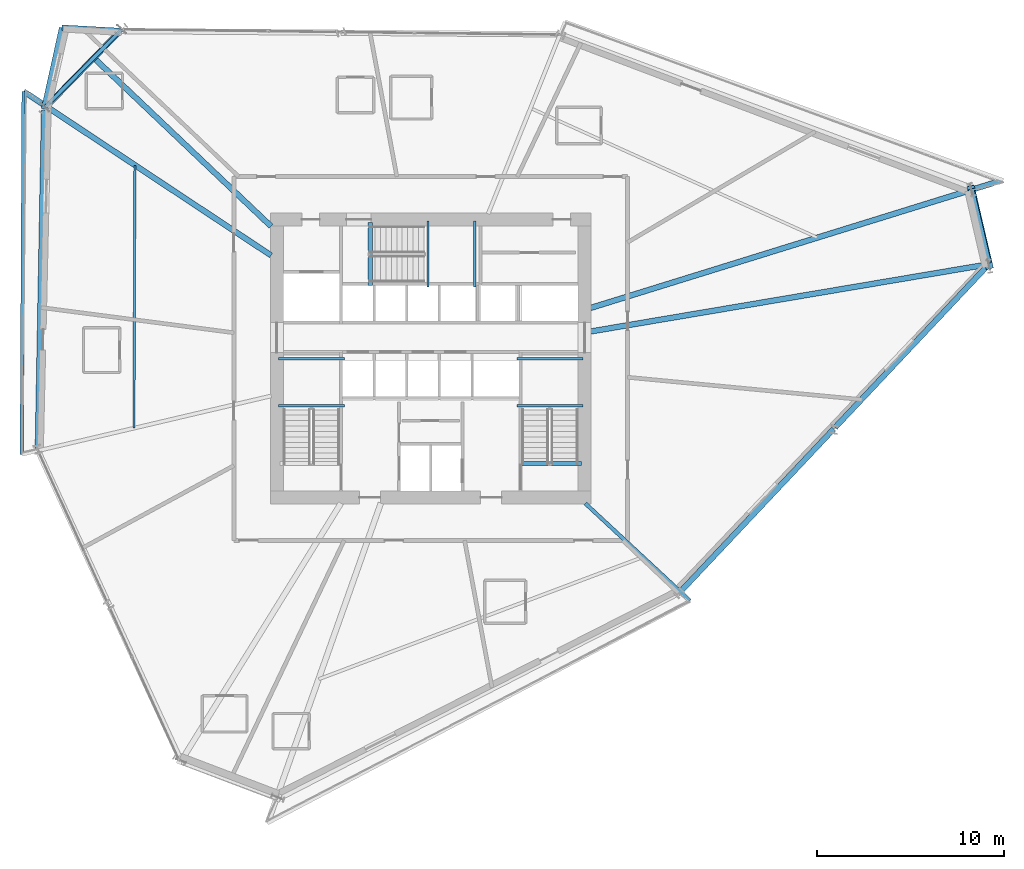
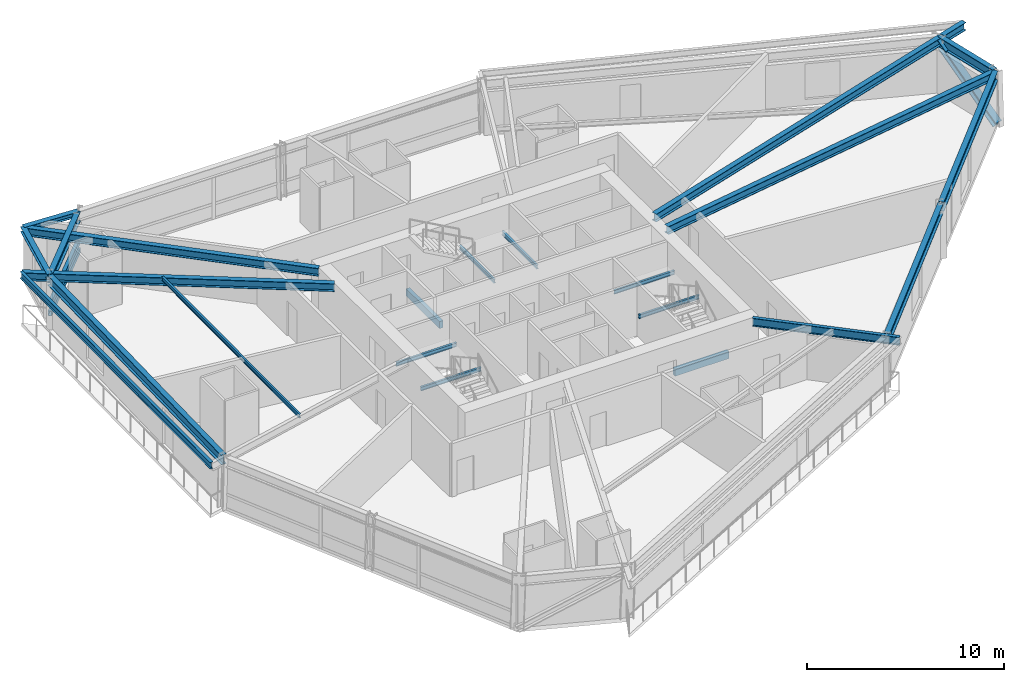
# One storey, part 5 of 21: 22 beams, 3 members.
"""IFC4 building model written with IfcOpenShell, lengths in metres."""

from ifc_helpers import new_model, si_unit, direction, frame, origin, origin_2d, place, context, subcontext, project, spatial, rectangle, hollow_rectangle, i_section, extrude, source, transform, mapped, material, material_profile, profile_set, type_object, element, save


model = new_model("IFC4")

# Units and contexts
model_context = context("Model", 3, precision=1e-05, world=origin(), true_north=direction((0.0, 1.0)))
body_context = subcontext(model_context, "Body", "Model", "MODEL_VIEW")
ifc_project = project(units=[si_unit("LENGTHUNIT", "METRE"), si_unit("AREAUNIT", "SQUARE_METRE"), si_unit("VOLUMEUNIT", "CUBIC_METRE"), si_unit("PLANEANGLEUNIT", "RADIAN"), si_unit("MASSUNIT", "GRAM", prefix="KILO")], contexts=[model_context])

# Site, building, storey
site_placement = place(None, origin())
site = spatial("IfcSite", under=ifc_project, at=site_placement, CompositionType="ELEMENT")
building_placement = place(site_placement, origin())
building = spatial("IfcBuilding", under=site, at=building_placement, Name="Olszyna Solenne Hotel", CompositionType="ELEMENT")
storey_placement = place(building_placement, frame((0.0, 0.0, 91.5)))
storey = spatial("IfcBuildingStorey", under=building, at=storey_placement, Name="L23", CompositionType="ELEMENT", Elevation=91.5)

# Beams
ifc_material_1 = material(Name="Steel S355J2", Category="steel")
ifc_material_profile_1 = material_profile(ifc_material_1, i_section(OverallWidth=0.300048828125, OverallDepth=0.60009765625, WebThickness=0.015380859375, FlangeThickness=0.030029296875, at=origin_2d()), Name="HEB 600", Category="load-bearing")
ifc_profile_set_1 = profile_set([ifc_material_profile_1], Name="Steel S355J2")
beam_type_1 = type_object("IfcBeamType", Name="BM-S2", PredefinedType="BEAM", material=ifc_profile_set_1)
shared_shape_1 = source(origin(), body_context, "Body", "SweptSolid", [
    extrude(i_section(OverallWidth=0.300048828125, OverallDepth=0.60009765625, WebThickness=0.015380859375, FlangeThickness=0.030029296875, at=origin_2d()), origin(), (0.0, 0.0, 1.0), 4.090087890625),
])
beam_1_placement = place(storey_placement, frame((67.90576171875, 31.71142578125, 3.0), z_axis=(-0.22921233532, 0.973376445851, 0.0), x_axis=(-0.973376445851, -0.22921233532, 0.0)))
element("IfcBeam", 1, at=beam_1_placement, inside=storey, type_object=beam_type_1, Name="Perimeter spandrel beam BM-S2 B-L23-0691", PredefinedType="BEAM", context=body_context, shape_type="MappedRepresentation", body=[
    mapped(shared_shape_1, transform((0.0, 0.0, 0.0), x_axis=(1.0, 0.0, 0.0), y_axis=(0.0, 1.0, 0.0), z_axis=(0.0, 0.0, 1.0), scale=1.0)),
])
shared_shape_2 = source(origin(), body_context, "Body", "SweptSolid", [
    extrude(i_section(OverallWidth=0.300048828125, OverallDepth=0.60009765625, WebThickness=0.015380859375, FlangeThickness=0.030029296875, at=origin_2d()), origin(), (0.0, 0.0, 1.0), 5.715087890625),
])
beam_2_placement = place(storey_placement, frame((21.311767578125, 44.11572265625, 3.0), z_axis=(-0.698360150737, -0.715746533252, 0.0), x_axis=(0.715746533252, -0.698360150737, 0.0)))
element("IfcBeam", 2, at=beam_2_placement, inside=storey, type_object=beam_type_1, Name="Perimeter spandrel beam BM-S2 B-L23-0695", PredefinedType="BEAM", context=body_context, shape_type="MappedRepresentation", body=[
    mapped(shared_shape_2, transform((0.0, 0.0, 0.0), x_axis=(1.0, 0.0, 0.0), y_axis=(0.0, 1.0, 0.0), z_axis=(0.0, 0.0, 1.0), scale=1.0)),
])
shared_shape_3 = source(origin(), body_context, "Body", "SweptSolid", [
    extrude(i_section(OverallWidth=0.300048828125, OverallDepth=0.60009765625, WebThickness=0.015380859375, FlangeThickness=0.030029296875, at=origin_2d()), origin(), (0.0, 0.0, 1.0), 11.955322265625),
])
for number, where, z_axis, x_axis, name in (
    (3, (51.400390625, 14.1181640625, 3.0), (0.685718145806, 0.727867175048, 0.0), (-0.727867175048, 0.685718145806, 0.0), "Perimeter spandrel beam BM-S2 B-L23-0701"),
    (4, (59.680419921875, 22.907470703125, 3.0), (0.685718145806, 0.727867175048, 0.0), (-0.727867175048, 0.685718145806, 0.0), "Perimeter spandrel beam BM-S2 B-L23-0702"),
):
    element("IfcBeam", number, at=place(storey_placement, frame(where, z_axis=z_axis, x_axis=x_axis)), inside=storey, type_object=beam_type_1, Name=name, PredefinedType="BEAM", context=body_context, shape_type="MappedRepresentation", body=[
        mapped(shared_shape_3, transform((0.0, 0.0, 0.0), x_axis=(1.0, 0.0, 0.0), y_axis=(0.0, 1.0, 0.0), z_axis=(0.0, 0.0, 1.0), scale=1.0)),
    ])

# Members
ifc_material_profile_2 = material_profile(ifc_material_1, hollow_rectangle(XDim=0.199951171875, YDim=0.300048828125, WallThickness=0.01611328125, at=origin_2d()), Name="RHS 300x200x16", Category="load-bearing")
ifc_profile_set_2 = profile_set([ifc_material_profile_2], Name="Steel S355J2")
member_type_1 = type_object("IfcMemberType", Name="CH-PR1", PredefinedType="CHORD", material=ifc_profile_set_2)
shared_shape_4 = source(origin(), body_context, "Body", "SweptSolid", [
    extrude(hollow_rectangle(XDim=0.199951171875, YDim=0.300048828125, WallThickness=0.01611328125, at=origin_2d()), origin(), (0.0, 0.0, 1.0), 5.8349609375),
])
for number, where, z_axis, x_axis, name in (
    (5, (21.430419921875, 44.23095703125, 1.35009765625), (-0.701499002808, -0.712670435096, 0.0), (0.712670435096, -0.701499002808, 0.0), "Glass-prism tie chord CH-PR1 M-L23-PR1"),
    (6, (21.430419921875, 44.23095703125, 0.780029296875), (-0.701499002808, -0.712670435096, 0.0), (0.712670435096, -0.701499002808, 0.0), "Glass-prism tie chord CH-PR1 M-L23-PR2"),
):
    element("IfcMember", number, at=place(storey_placement, frame(where, z_axis=z_axis, x_axis=x_axis)), inside=storey, type_object=member_type_1, Name=name, PredefinedType="CHORD", context=body_context, shape_type="MappedRepresentation", body=[
        mapped(shared_shape_4, transform((0.0, 0.0, 0.0), x_axis=(1.0, 0.0, 0.0), y_axis=(0.0, 1.0, 0.0), z_axis=(0.0, 0.0, 1.0), scale=1.0)),
    ])
ifc_material_2 = material(Name="Steel S460M", Category="steel")
ifc_material_profile_3 = material_profile(ifc_material_2, i_section(OverallWidth=0.406005859375, OverallDepth=0.416015625, WebThickness=0.026611328125, FlangeThickness=0.04150390625, at=origin_2d()), Name="HD 400x382", Category="load-bearing")
ifc_profile_set_3 = profile_set([ifc_material_profile_3], Name="Steel S460M")
member_type_2 = type_object("IfcMemberType", Name="BR-T2", PredefinedType="BRACE", material=ifc_profile_set_3)
shared_shape_5 = source(origin(), body_context, "Body", "SweptSolid", [
    extrude(i_section(OverallWidth=0.406005859375, OverallDepth=0.416015625, WebThickness=0.026611328125, FlangeThickness=0.04150390625, at=origin_2d()), origin(), (0.0, 0.0, 1.0), 5.255126953125),
])
member_placement = place(storey_placement, frame((67.94140625, 31.5224609375, 0.010009765625), z_axis=(-0.187829323038, 0.804650970817, 0.563255679572), x_axis=(-0.973820469312, -0.22731848484, 0.0)))
element("IfcMember", 7, at=member_placement, inside=storey, type_object=member_type_2, Name="Perimeter braced-tube diagonal BR-T2 BR-L23-1", PredefinedType="BRACE", context=body_context, shape_type="MappedRepresentation", body=[
    mapped(shared_shape_5, transform((0.0, 0.0, 0.0), x_axis=(1.0, 0.0, 0.0), y_axis=(0.0, 1.0, 0.0), z_axis=(0.0, 0.0, 1.0), scale=1.0)),
])

# Beams
shared_shape_6 = source(origin(), body_context, "Body", "SweptSolid", [
    extrude(i_section(OverallWidth=0.300048828125, OverallDepth=0.60009765625, WebThickness=0.015380859375, FlangeThickness=0.030029296875, at=origin_2d()), origin(), (0.0, 0.0, 1.0), 18.20703125),
])
beam_3_placement = place(storey_placement, frame((17.277587890625, 39.92236328125, 3.0), z_axis=(-0.018424242268, -0.999830259242, 0.0), x_axis=(0.999830259242, -0.018424242268, 0.0)))
element("IfcBeam", 8, at=beam_3_placement, inside=storey, type_object=beam_type_1, Name="Perimeter spandrel beam BM-S2 B-L23-0696", PredefinedType="BEAM", context=body_context, shape_type="MappedRepresentation", body=[
    mapped(shared_shape_6, transform((0.0, 0.0, 0.0), x_axis=(1.0, 0.0, 0.0), y_axis=(0.0, 1.0, 0.0), z_axis=(0.0, 0.0, 1.0), scale=1.0)),
])
ifc_material_profile_4 = material_profile(ifc_material_1, i_section(OverallWidth=0.300048828125, OverallDepth=0.489990234375, WebThickness=0.011962890625, FlangeThickness=0.02294921875, at=origin_2d()), Name="HEA 500", Category="load-bearing")
ifc_profile_set_4 = profile_set([ifc_material_profile_4], Name="Steel S355J2")
beam_type_2 = type_object("IfcBeamType", Name="BM-G1", PredefinedType="BEAM", material=ifc_profile_set_4)
shared_shape_7 = source(origin(), body_context, "Body", "SweptSolid", [
    extrude(i_section(OverallWidth=0.300048828125, OverallDepth=0.489990234375, WebThickness=0.011962890625, FlangeThickness=0.02294921875, at=origin_2d()), origin(), (0.0, 0.0, 1.0), 21.611328125),
])
beam_4_placement = place(storey_placement, frame((67.8603515625, 31.64306640625, 3.054931640625), z_axis=(-0.986036843813, -0.166527302995, 0.0), x_axis=(0.166527302995, -0.986036843813, 0.0)))
element("IfcBeam", 9, at=beam_4_placement, inside=storey, type_object=beam_type_2, Name="Radial floor girder BM-G1 B-L23-0703", PredefinedType="BEAM", context=body_context, shape_type="MappedRepresentation", body=[
    mapped(shared_shape_7, transform((0.0, 0.0, 0.0), x_axis=(1.0, 0.0, 0.0), y_axis=(0.0, 1.0, 0.0), z_axis=(0.0, 0.0, 1.0), scale=1.0)),
])
shared_shape_8 = source(origin(), body_context, "Body", "SweptSolid", [
    extrude(i_section(OverallWidth=0.300048828125, OverallDepth=0.489990234375, WebThickness=0.011962890625, FlangeThickness=0.02294921875, at=origin_2d()), origin(), (0.0, 0.0, 1.0), 23.15380859375),
])
beam_5_placement = place(storey_placement, frame((68.6669921875, 36.16162109375, 3.054931640625), z_axis=(-0.955119803236, -0.296219785744, 0.0), x_axis=(0.296219785744, -0.955119803236, 0.0)))
element("IfcBeam", 10, at=beam_5_placement, inside=storey, type_object=beam_type_2, Name="Radial floor girder BM-G1 B-L23-0704", PredefinedType="BEAM", context=body_context, shape_type="MappedRepresentation", body=[
    mapped(shared_shape_8, transform((0.0, 0.0, 0.0), x_axis=(1.0, 0.0, 0.0), y_axis=(0.0, 1.0, 0.0), z_axis=(0.0, 0.0, 1.0), scale=1.0)),
])
shared_shape_9 = source(origin(), body_context, "Body", "SweptSolid", [
    extrude(i_section(OverallWidth=0.300048828125, OverallDepth=0.489990234375, WebThickness=0.011962890625, FlangeThickness=0.02294921875, at=origin_2d()), origin(), (0.0, 0.0, 1.0), 15.429443359375),
])
beam_6_placement = place(storey_placement, frame((18.25341796875, 44.317626953125, 3.054931640625), z_axis=(0.724914886326, -0.688838448101, 0.0), x_axis=(0.688838448101, 0.724914886326, 0.0)))
element("IfcBeam", 11, at=beam_6_placement, inside=storey, type_object=beam_type_2, Name="Radial floor girder BM-G1 B-L23-0706", PredefinedType="BEAM", context=body_context, shape_type="MappedRepresentation", body=[
    mapped(shared_shape_9, transform((0.0, 0.0, 0.0), x_axis=(1.0, 0.0, 0.0), y_axis=(0.0, 1.0, 0.0), z_axis=(0.0, 0.0, 1.0), scale=1.0)),
])
shared_shape_10 = source(origin(), body_context, "Body", "SweptSolid", [
    extrude(i_section(OverallWidth=0.300048828125, OverallDepth=0.489990234375, WebThickness=0.011962890625, FlangeThickness=0.02294921875, at=origin_2d()), origin(), (0.0, 0.0, 1.0), 15.89990234375),
])
beam_7_placement = place(storey_placement, frame((16.188720703125, 40.910888671875, 3.054931640625), z_axis=(0.83354260541, -0.552455179148, 0.0), x_axis=(0.552455179148, 0.83354260541, 0.0)))
element("IfcBeam", 12, at=beam_7_placement, inside=storey, type_object=beam_type_2, Name="Radial floor girder BM-G1 B-L23-0707", PredefinedType="BEAM", context=body_context, shape_type="MappedRepresentation", body=[
    mapped(shared_shape_10, transform((0.0, 0.0, 0.0), x_axis=(1.0, 0.0, 0.0), y_axis=(0.0, 1.0, 0.0), z_axis=(0.0, 0.0, 1.0), scale=1.0)),
])
ifc_material_profile_5 = material_profile(ifc_material_1, i_section(OverallWidth=0.199951171875, OverallDepth=0.5, WebThickness=0.01025390625, FlangeThickness=0.01611328125, at=origin_2d()), Name="IPE 500", Category="load-bearing")
ifc_profile_set_5 = profile_set([ifc_material_profile_5], Name="Steel S355J2")
beam_type_3 = type_object("IfcBeamType", Name="BM-F3", PredefinedType="BEAM", material=ifc_profile_set_5)
shared_shape_11 = source(origin(), body_context, "Body", "SweptSolid", [
    extrude(i_section(OverallWidth=0.199951171875, OverallDepth=0.5, WebThickness=0.01025390625, FlangeThickness=0.01611328125, at=origin_2d()), origin(), (0.0, 0.0, 1.0), 7.663818359375),
])
beam_8_placement = place(storey_placement, frame((51.897705078125, 13.6181640625, 3.050048828125), z_axis=(-0.732653921175, 0.680601375099, 0.0), x_axis=(-0.680601375099, -0.732653921175, 0.0)))
element("IfcBeam", 13, at=beam_8_placement, inside=storey, type_object=beam_type_3, Name="Radial floor girder BM-F3 B-L23-0711", PredefinedType="BEAM", context=body_context, shape_type="MappedRepresentation", body=[
    mapped(shared_shape_11, transform((0.0, 0.0, 0.0), x_axis=(1.0, 0.0, 0.0), y_axis=(0.0, 1.0, 0.0), z_axis=(0.0, 0.0, 1.0), scale=1.0)),
])
ifc_material_profile_6 = material_profile(ifc_material_1, i_section(OverallWidth=0.300048828125, OverallDepth=0.31005859375, WebThickness=0.009033203125, FlangeThickness=0.015380859375, at=origin_2d()), Name="HEA 320", Category="load-bearing")
ifc_profile_set_6 = profile_set([ifc_material_profile_6], Name="Steel S355J2")
beam_type_4 = type_object("IfcBeamType", Name="BM-G3", PredefinedType="BEAM", material=ifc_profile_set_6)
shared_shape_12 = source(origin(), body_context, "Body", "SweptSolid", [
    extrude(i_section(OverallWidth=0.300048828125, OverallDepth=0.31005859375, WebThickness=0.009033203125, FlangeThickness=0.015380859375, at=origin_2d()), origin(), (0.0, 0.0, 1.0), 3.11962890625),
])
beam_9_placement = place(storey_placement, frame((21.353759765625, 44.15869140625, 3.14501953125), z_axis=(-0.998468049379, 0.055331314541, 0.0), x_axis=(-0.055331314541, -0.998468049379, 0.0)))
element("IfcBeam", 14, at=beam_9_placement, inside=storey, type_object=beam_type_4, Name="Prism side edge beam BM-G3 B-L23-0712", PredefinedType="BEAM", context=body_context, shape_type="MappedRepresentation", body=[
    mapped(shared_shape_12, transform((0.0, 0.0, 0.0), x_axis=(1.0, 0.0, 0.0), y_axis=(0.0, 1.0, 0.0), z_axis=(0.0, 0.0, 1.0), scale=1.0)),
])
shared_shape_13 = source(origin(), body_context, "Body", "SweptSolid", [
    extrude(i_section(OverallWidth=0.300048828125, OverallDepth=0.31005859375, WebThickness=0.009033203125, FlangeThickness=0.015380859375, at=origin_2d()), origin(), (0.0, 0.0, 1.0), 4.45361328125),
])
beam_10_placement = place(storey_placement, frame((17.278564453125, 39.982421875, 3.14501953125), z_axis=(0.215653339268, 0.976469987896, 0.0), x_axis=(-0.976469987896, 0.215653339268, 0.0)))
element("IfcBeam", 15, at=beam_10_placement, inside=storey, type_object=beam_type_4, Name="Prism side edge beam BM-G3 B-L23-0713", PredefinedType="BEAM", context=body_context, shape_type="MappedRepresentation", body=[
    mapped(shared_shape_13, transform((0.0, 0.0, 0.0), x_axis=(1.0, 0.0, 0.0), y_axis=(0.0, 1.0, 0.0), z_axis=(0.0, 0.0, 1.0), scale=1.0)),
])
ifc_material_profile_7 = material_profile(ifc_material_1, i_section(OverallWidth=0.1201171875, OverallDepth=0.239990234375, WebThickness=0.006103515625, FlangeThickness=0.009765625, at=origin_2d()), Name="IPE 240", Category="load-bearing")
ifc_profile_set_7 = profile_set([ifc_material_profile_7], Name="Steel S355J2")
beam_type_5 = type_object("IfcBeamType", Name="JS-03", PredefinedType="JOIST", material=ifc_profile_set_7)
shared_shape_14 = source(origin(), body_context, "Body", "SweptSolid", [
    extrude(i_section(OverallWidth=0.1201171875, OverallDepth=0.239990234375, WebThickness=0.006103515625, FlangeThickness=0.009765625, at=origin_2d()), origin(), (0.0, 0.0, 1.0), 14.059326171875),
])
beam_11_placement = place(storey_placement, frame((22.143310546875, 36.944091796875, 3.179931640625), z_axis=(-0.003542443954, -0.999993725526, 0.0), x_axis=(0.999993725526, -0.003542443954, 0.0)))
element("IfcBeam", 16, at=beam_11_placement, inside=storey, type_object=beam_type_5, Name="Secondary composite floor joist JS-03 B-L23-0715", PredefinedType="JOIST", context=body_context, shape_type="MappedRepresentation", body=[
    mapped(shared_shape_14, transform((0.0, 0.0, 0.0), x_axis=(1.0, 0.0, 0.0), y_axis=(0.0, 1.0, 0.0), z_axis=(0.0, 0.0, 1.0), scale=1.0)),
])
ifc_material_profile_8 = material_profile(ifc_material_1, i_section(OverallWidth=0.179931640625, OverallDepth=0.39990234375, WebThickness=0.008544921875, FlangeThickness=0.013427734375, at=origin_2d()), Name="IPE 400", Category="load-bearing")
ifc_profile_set_8 = profile_set([ifc_material_profile_8], Name="Steel S355J2")
beam_type_6 = type_object("IfcBeamType", Name="BM-F5", PredefinedType="BEAM", material=ifc_profile_set_8)
shared_shape_15 = source(origin(), body_context, "Body", "SweptSolid", [
    extrude(i_section(OverallWidth=0.179931640625, OverallDepth=0.39990234375, WebThickness=0.008544921875, FlangeThickness=0.013427734375, at=origin_2d()), origin(), (0.0, 0.0, 1.0), 19.471923828125),
])
beam_12_placement = place(storey_placement, frame((16.171875, 40.922119140625, 3.10009765625), z_axis=(-0.004965082487, -0.999987673902, 0.0), x_axis=(0.999987673902, -0.004965082487, 0.0)))
element("IfcBeam", 17, at=beam_12_placement, inside=storey, type_object=beam_type_6, Name="Loggia outer edge beam BM-F5 B-L23-0718", PredefinedType="BEAM", context=body_context, shape_type="MappedRepresentation", body=[
    mapped(shared_shape_15, transform((0.0, 0.0, 0.0), x_axis=(1.0, 0.0, 0.0), y_axis=(0.0, 1.0, 0.0), z_axis=(0.0, 0.0, 1.0), scale=1.0)),
])
shared_shape_16 = source(origin(), body_context, "Body", "SweptSolid", [
    extrude(i_section(OverallWidth=0.1201171875, OverallDepth=0.239990234375, WebThickness=0.006103515625, FlangeThickness=0.009765625, at=origin_2d()), origin(), (0.0, 0.0, 1.0), 3.539794921875),
])
for number, where, z_axis, x_axis, name in (
    (18, (33.3798828125, 24.070068359375, 1.449951171875), (-1.0, 0.0, 0.0), (0.0, -1.0, 0.0), "Stair landing support beam JS-03 SLB-ST1-0051"),
    (19, (33.3798828125, 26.580078125, 1.449951171875), (-1.0, 0.0, 0.0), (0.0, -1.0, 0.0), "Stair landing support beam JS-03 SLB-ST1-0052"),
    (20, (46.159912109375, 24.070068359375, 1.449951171875), (-1.0, 0.0, 0.0), (0.0, -1.0, 0.0), "Stair landing support beam JS-03 SLB-ST2-0291"),
    (21, (46.159912109375, 26.580078125, 1.449951171875), (-1.0, 0.0, 0.0), (0.0, -1.0, 0.0), "Stair landing support beam JS-03 SLB-ST2-0292"),
):
    element("IfcBeam", number, at=place(storey_placement, frame(where, z_axis=z_axis, x_axis=x_axis)), inside=storey, type_object=beam_type_5, Name=name, PredefinedType="JOIST", context=body_context, shape_type="MappedRepresentation", body=[
        mapped(shared_shape_16, transform((0.0, 0.0, 0.0), x_axis=(1.0, 0.0, 0.0), y_axis=(0.0, 1.0, 0.0), z_axis=(0.0, 0.0, 1.0), scale=1.0)),
    ])
ifc_material_3 = material(Name="Concrete C50/60", Category="concrete")
ifc_material_profile_9 = material_profile(ifc_material_3, rectangle(XDim=0.219970703125, YDim=0.43994140625, at=origin_2d()), Name="RC 220x440", Category="load-bearing")
ifc_profile_set_9 = profile_set([ifc_material_profile_9], Name="Concrete C50/60")
beam_type_7 = type_object("IfcBeamType", Name="BM-ST1", PredefinedType="BEAM", material=ifc_profile_set_9)
shared_shape_17 = source(origin(), body_context, "Body", "SweptSolid", [
    extrude(rectangle(XDim=0.219970703125, YDim=0.43994140625, at=origin_2d()), origin(), (0.0, 0.0, 1.0), 3.18017578125),
])
beam_13_placement = place(storey_placement, frame((46.080078125, 20.97998046875, -0.205078125), z_axis=(-1.0, 0.0, 0.0), x_axis=(0.0, -1.0, 0.0)))
element("IfcBeam", 22, at=beam_13_placement, inside=storey, type_object=beam_type_7, Name="Concrete stair trimmer beam BM-ST1 SHB-ST2-0425", PredefinedType="BEAM", context=body_context, shape_type="MappedRepresentation", body=[
    mapped(shared_shape_17, transform((0.0, 0.0, 0.0), x_axis=(1.0, 0.0, 0.0), y_axis=(0.0, 1.0, 0.0), z_axis=(0.0, 0.0, 1.0), scale=1.0)),
])
shared_shape_18 = source(origin(), body_context, "Body", "SweptSolid", [
    extrude(i_section(OverallWidth=0.1201171875, OverallDepth=0.239990234375, WebThickness=0.006103515625, FlangeThickness=0.009765625, at=origin_2d()), origin(), (0.0, 0.0, 1.0), 3.5400390625),
])
for number, where, z_axis, x_axis, name in (
    (23, (37.85009765625, 30.419921875, 1.449951171875), (0.0, 1.0, 0.0), (-1.0, 0.0, 0.0), "Stair landing support beam JS-03 SLB-ST3-0531"),
    (24, (40.360107421875, 30.419921875, 1.449951171875), (0.0, 1.0, 0.0), (-1.0, 0.0, 0.0), "Stair landing support beam JS-03 SLB-ST3-0532"),
):
    element("IfcBeam", number, at=place(storey_placement, frame(where, z_axis=z_axis, x_axis=x_axis)), inside=storey, type_object=beam_type_5, Name=name, PredefinedType="JOIST", context=body_context, shape_type="MappedRepresentation", body=[
        mapped(shared_shape_18, transform((0.0, 0.0, 0.0), x_axis=(1.0, 0.0, 0.0), y_axis=(0.0, 1.0, 0.0), z_axis=(0.0, 0.0, 1.0), scale=1.0)),
    ])
shared_shape_19 = source(origin(), body_context, "Body", "SweptSolid", [
    extrude(rectangle(XDim=0.219970703125, YDim=0.43994140625, at=origin_2d()), origin(), (0.0, 0.0, 1.0), 3.3798828125),
])
beam_14_placement = place(storey_placement, frame((34.760009765625, 30.5, -0.205078125), z_axis=(0.0, 1.0, 0.0), x_axis=(-1.0, 0.0, 0.0)))
element("IfcBeam", 25, at=beam_14_placement, inside=storey, type_object=beam_type_7, Name="Concrete stair trimmer beam BM-ST1 SHB-ST3-0663", PredefinedType="BEAM", context=body_context, shape_type="MappedRepresentation", body=[
    mapped(shared_shape_19, transform((0.0, 0.0, 0.0), x_axis=(1.0, 0.0, 0.0), y_axis=(0.0, 1.0, 0.0), z_axis=(0.0, 0.0, 1.0), scale=1.0)),
])

save(model, "model.ifc")
